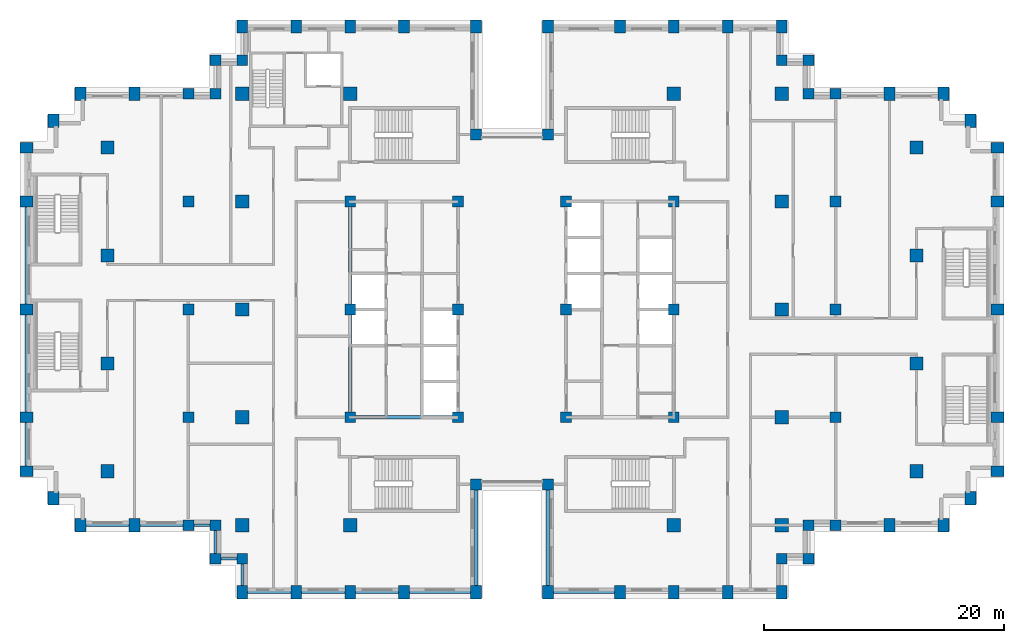
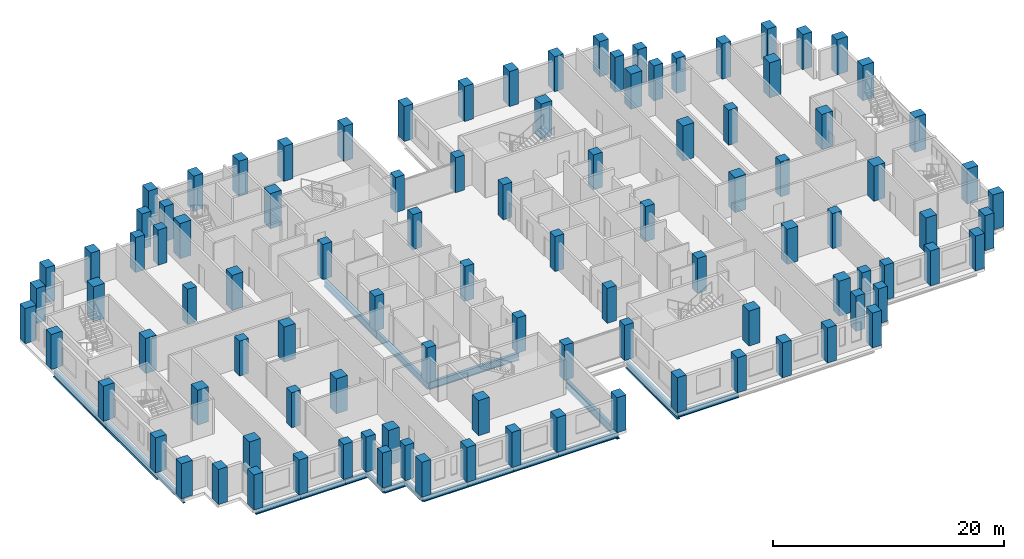
# One storey, part 1 of 16: 102 columns, 19 beams.
"""IFC4 building model written with IfcOpenShell, lengths in metres."""

from ifc_helpers import new_model, si_unit, direction, frame, origin, origin_2d, place, context, subcontext, project, spatial, rectangle, i_section, extrude, material, material_profile, profile_set, type_object, element, save


model = new_model("IFC4")

# Units and contexts
model_context = context("Model", 3, precision=1e-05, world=origin(), true_north=direction((0.0, 1.0)))
body_context = subcontext(model_context, "Body", "Model", "MODEL_VIEW")
ifc_project = project(units=[si_unit("LENGTHUNIT", "METRE"), si_unit("AREAUNIT", "SQUARE_METRE"), si_unit("VOLUMEUNIT", "CUBIC_METRE"), si_unit("PLANEANGLEUNIT", "RADIAN"), si_unit("MASSUNIT", "GRAM", prefix="KILO")], contexts=[model_context])

# Site, building, storey
site_placement = place(None, origin())
site = spatial("IfcSite", under=ifc_project, at=site_placement, CompositionType="ELEMENT")
building_placement = place(site_placement, origin())
building = spatial("IfcBuilding", under=site, at=building_placement, Name="Corbelhall Arena Tower", CompositionType="ELEMENT")
storey_placement = place(building_placement, frame((0.0, 0.0, 154.0)))
storey = spatial("IfcBuildingStorey", under=building, at=storey_placement, Name="L30", CompositionType="ELEMENT", Elevation=154.0)

# Columns
ifc_material_1 = material(Name="Concrete C80/95", Category="concrete")
ifc_material_profile_1 = material_profile(ifc_material_1, rectangle(XDim=1.10009765625, YDim=1.10009765625, at=origin_2d()))
ifc_profile_set_1 = profile_set([ifc_material_profile_1], Name="Concrete C80/95")
column_type_1 = type_object("IfcColumnType", Name="ST-COL-RC 1100x1100", PredefinedType="COLUMN", material=ifc_profile_set_1)
for number, where, z_axis, x_axis, name in (
    (1, (-33.75, 4.5, 0.0), (0.0, 0.0, 1.0), (1.0, 0.0, 0.0), "Column FIC+0450"),
    (2, (-33.75, 13.5, 0.0), (0.0, 0.0, 1.0), (1.0, 0.0, 0.0), "Column FIC+1350"),
    (3, (-33.75, -4.5, 0.0), (0.0, 0.0, 1.0), (1.0, 0.0, 0.0), "Column FIC-0450"),
    (4, (-33.75, -13.5, 0.0), (0.0, 0.0, 1.0), (1.0, 0.0, 0.0), "Column FIC-1350"),
    (5, (33.75, 4.5, 0.0), (0.0, 0.0, 1.0), (1.0, 0.0, 0.0), "Column FID+0450"),
    (6, (33.75, 13.5, 0.0), (0.0, 0.0, 1.0), (1.0, 0.0, 0.0), "Column FID+1350"),
    (7, (33.75, -4.5, 0.0), (0.0, 0.0, 1.0), (1.0, 0.0, 0.0), "Column FID-0450"),
    (8, (33.75, -13.5, 0.0), (0.0, 0.0, 1.0), (1.0, 0.0, 0.0), "Column FID-1350"),
    (9, (13.5, 18.0, 0.0), (0.0, 0.0, 1.0), (1.0, 0.0, 0.0), "Column IE13+1800"),
    (10, (13.5, -18.0, 0.0), (0.0, 0.0, 1.0), (1.0, 0.0, 0.0), "Column IE13-1800"),
    (11, (22.5, 0.0, 0.0), (0.0, 0.0, 1.0), (1.0, 0.0, 0.0), "Column IE22+0000"),
    (12, (22.5, 9.0, 0.0), (0.0, 0.0, 1.0), (1.0, 0.0, 0.0), "Column IE22+0900"),
    (13, (22.5, 18.0, 0.0), (0.0, 0.0, 1.0), (1.0, 0.0, 0.0), "Column IE22+1800"),
    (14, (22.5, -9.0, 0.0), (0.0, 0.0, 1.0), (1.0, 0.0, 0.0), "Column IE22-0900"),
    (15, (22.5, -18.0, 0.0), (0.0, 0.0, 1.0), (1.0, 0.0, 0.0), "Column IE22-1800"),
    (16, (-13.5, 18.0, 0.0), (0.0, 0.0, 1.0), (1.0, 0.0, 0.0), "Column IW13+1800"),
    (17, (-13.5, -18.0, 0.0), (0.0, 0.0, 1.0), (1.0, 0.0, 0.0), "Column IW13-1800"),
    (18, (-22.5, 0.0, 0.0), (0.0, 0.0, 1.0), (1.0, 0.0, 0.0), "Column IW22+0000"),
    (19, (-22.5, 9.0, 0.0), (0.0, 0.0, 1.0), (1.0, 0.0, 0.0), "Column IW22+0900"),
    (20, (-22.5, 18.0, 0.0), (0.0, 0.0, 1.0), (1.0, 0.0, 0.0), "Column IW22+1800"),
    (21, (-22.5, -9.0, 0.0), (0.0, 0.0, 1.0), (1.0, 0.0, 0.0), "Column IW22-0900"),
    (22, (-22.5, -18.0, 0.0), (0.0, 0.0, 1.0), (1.0, 0.0, 0.0), "Column IW22-1800"),
):
    element("IfcColumn", number, at=place(storey_placement, frame(where, z_axis=z_axis, x_axis=x_axis)), inside=storey, type_object=column_type_1, Name=name, PredefinedType="COLUMN", context=body_context, shape_type="SweptSolid", body=[
        extrude(rectangle(XDim=1.10009765625, YDim=1.10009765625, at=origin_2d()), origin(), (0.0, 0.0, 1.0), 3.699951171875),
    ])
ifc_material_profile_2 = material_profile(ifc_material_1, rectangle(XDim=0.89990234375, YDim=1.10009765625, at=origin_2d()))
ifc_profile_set_2 = profile_set([ifc_material_profile_2], Name="Concrete C80/95")
column_type_2 = type_object("IfcColumnType", Name="ST-COL-RC 900x1100", PredefinedType="COLUMN", material=ifc_profile_set_2)
for number, where, z_axis, x_axis, name in (
    (23, (-40.5, 0.0, 0.0), (0.0, 0.0, 1.0), (0.0, 1.0, 0.0), "Column FC+0000"),
    (24, (-40.5, 9.0, 0.0), (0.0, 0.0, 1.0), (0.0, 1.0, 0.0), "Column FC+0900"),
    (25, (-40.5, 13.5, 0.0), (0.0, 0.0, 1.0), (0.0, 1.0, 0.0), "Column FC+1350"),
    (26, (-40.5, -9.0, 0.0), (0.0, 0.0, 1.0), (0.0, 1.0, 0.0), "Column FC-0900"),
    (27, (-40.5, -13.5, 0.0), (0.0, 0.0, 1.0), (0.0, 1.0, 0.0), "Column FC-1350"),
    (28, (-38.25, 15.75, 0.0), (0.0, 0.0, 1.0), (1.0, 0.0, 0.0), "Column FCCN"),
    (29, (-38.25, -15.75, 0.0), (0.0, 0.0, 1.0), (1.0, 0.0, 0.0), "Column FCCS"),
    (30, (-31.5, 18.0, 0.0), (0.0, 0.0, 1.0), (1.0, 0.0, 0.0), "Column FCN3150"),
    (31, (-36.0, 18.0, 0.0), (0.0, 0.0, 1.0), (1.0, 0.0, 0.0), "Column FCN3600"),
    (32, (-31.5, -18.0, 0.0), (0.0, 0.0, 1.0), (1.0, 0.0, 0.0), "Column FCS3150"),
    (33, (-36.0, -18.0, 0.0), (0.0, 0.0, 1.0), (1.0, 0.0, 0.0), "Column FCS3600"),
    (34, (40.5, 0.0, 0.0), (0.0, 0.0, 1.0), (0.0, 1.0, 0.0), "Column FD+0000"),
    (35, (40.5, 9.0, 0.0), (0.0, 0.0, 1.0), (0.0, 1.0, 0.0), "Column FD+0900"),
    (36, (40.5, 13.5, 0.0), (0.0, 0.0, 1.0), (0.0, 1.0, 0.0), "Column FD+1350"),
    (37, (40.5, -9.0, 0.0), (0.0, 0.0, 1.0), (0.0, 1.0, 0.0), "Column FD-0900"),
    (38, (40.5, -13.5, 0.0), (0.0, 0.0, 1.0), (0.0, 1.0, 0.0), "Column FD-1350"),
    (39, (38.25, 15.75, 0.0), (0.0, 0.0, 1.0), (1.0, 0.0, 0.0), "Column FDCN"),
    (40, (38.25, -15.75, 0.0), (0.0, 0.0, 1.0), (1.0, 0.0, 0.0), "Column FDCS"),
    (41, (31.5, 18.0, 0.0), (0.0, 0.0, 1.0), (1.0, 0.0, 0.0), "Column FDN3150"),
    (42, (36.0, 18.0, 0.0), (0.0, 0.0, 1.0), (1.0, 0.0, 0.0), "Column FDN3600"),
    (43, (31.5, -18.0, 0.0), (0.0, 0.0, 1.0), (1.0, 0.0, 0.0), "Column FDS3150"),
    (44, (36.0, -18.0, 0.0), (0.0, 0.0, 1.0), (1.0, 0.0, 0.0), "Column FDS3600"),
    (45, (3.0, 23.60009765625, 0.0), (0.0, 0.0, 1.0), (1.0, 0.0, 0.0), "Column PNE0300"),
    (46, (9.0, 23.60009765625, 0.0), (0.0, 0.0, 1.0), (1.0, 0.0, 0.0), "Column PNE0900"),
    (47, (13.5, 23.60009765625, 0.0), (0.0, 0.0, 1.0), (1.0, 0.0, 0.0), "Column PNE1350"),
    (48, (18.0, 23.60009765625, 0.0), (0.0, 0.0, 1.0), (1.0, 0.0, 0.0), "Column PNE1800"),
    (49, (22.5, 23.60009765625, 0.0), (0.0, 0.0, 1.0), (1.0, 0.0, 0.0), "Column PNE2250"),
    (50, (-3.0, 23.60009765625, 0.0), (0.0, 0.0, 1.0), (1.0, 0.0, 0.0), "Column PNW0300"),
    (51, (-9.0, 23.60009765625, 0.0), (0.0, 0.0, 1.0), (1.0, 0.0, 0.0), "Column PNW0900"),
    (52, (-13.5, 23.60009765625, 0.0), (0.0, 0.0, 1.0), (1.0, 0.0, 0.0), "Column PNW1350"),
    (53, (-18.0, 23.60009765625, 0.0), (0.0, 0.0, 1.0), (1.0, 0.0, 0.0), "Column PNW1800"),
    (54, (-22.5, 23.60009765625, 0.0), (0.0, 0.0, 1.0), (1.0, 0.0, 0.0), "Column PNW2250"),
    (55, (3.0, -23.60009765625, 0.0), (0.0, 0.0, 1.0), (1.0, 0.0, 0.0), "Column PSE0300"),
    (56, (9.0, -23.60009765625, 0.0), (0.0, 0.0, 1.0), (1.0, 0.0, 0.0), "Column PSE0900"),
    (57, (13.5, -23.60009765625, 0.0), (0.0, 0.0, 1.0), (1.0, 0.0, 0.0), "Column PSE1350"),
    (58, (18.0, -23.60009765625, 0.0), (0.0, 0.0, 1.0), (1.0, 0.0, 0.0), "Column PSE1800"),
    (59, (22.5, -23.60009765625, 0.0), (0.0, 0.0, 1.0), (1.0, 0.0, 0.0), "Column PSE2250"),
    (60, (-3.0, -23.60009765625, 0.0), (0.0, 0.0, 1.0), (1.0, 0.0, 0.0), "Column PSW0300"),
    (61, (-9.0, -23.60009765625, 0.0), (0.0, 0.0, 1.0), (1.0, 0.0, 0.0), "Column PSW0900"),
    (62, (-13.5, -23.60009765625, 0.0), (0.0, 0.0, 1.0), (1.0, 0.0, 0.0), "Column PSW1350"),
    (63, (-18.0, -23.60009765625, 0.0), (0.0, 0.0, 1.0), (1.0, 0.0, 0.0), "Column PSW1800"),
    (64, (-22.5, -23.60009765625, 0.0), (0.0, 0.0, 1.0), (1.0, 0.0, 0.0), "Column PSW2250"),
):
    element("IfcColumn", number, at=place(storey_placement, frame(where, z_axis=z_axis, x_axis=x_axis)), inside=storey, type_object=column_type_2, Name=name, PredefinedType="COLUMN", context=body_context, shape_type="SweptSolid", body=[
        extrude(rectangle(XDim=0.89990234375, YDim=1.10009765625, at=origin_2d()), origin(), (0.0, 0.0, 1.0), 3.699951171875),
    ])
ifc_material_profile_3 = material_profile(ifc_material_1, rectangle(XDim=0.89990234375, YDim=0.89990234375, at=origin_2d()))
ifc_profile_set_3 = profile_set([ifc_material_profile_3], Name="Concrete C80/95")
column_type_3 = type_object("IfcColumnType", Name="ST-COL-RC 900x900", PredefinedType="COLUMN", material=ifc_profile_set_3)
for number, where, z_axis, x_axis, name in (
    (65, (4.5, 0.0, 0.0), (0.0, 0.0, 1.0), (1.0, 0.0, 0.0), "Column KE+0450+0000"),
    (66, (4.5, 9.0, 0.0), (0.0, 0.0, 1.0), (1.0, 0.0, 0.0), "Column KE+0450+0900"),
    (67, (4.5, -9.0, 0.0), (0.0, 0.0, 1.0), (1.0, 0.0, 0.0), "Column KE+0450-0900"),
    (68, (13.5, 0.0, 0.0), (0.0, 0.0, 1.0), (1.0, 0.0, 0.0), "Column KE+1350+0000"),
    (69, (13.5, 9.0, 0.0), (0.0, 0.0, 1.0), (1.0, 0.0, 0.0), "Column KE+1350+0900"),
    (70, (13.5, -9.0, 0.0), (0.0, 0.0, 1.0), (1.0, 0.0, 0.0), "Column KE+1350-0900"),
    (71, (-4.5, 0.0, 0.0), (0.0, 0.0, 1.0), (1.0, 0.0, 0.0), "Column KW-0450+0000"),
    (72, (-4.5, 9.0, 0.0), (0.0, 0.0, 1.0), (1.0, 0.0, 0.0), "Column KW-0450+0900"),
    (73, (-4.5, -9.0, 0.0), (0.0, 0.0, 1.0), (1.0, 0.0, 0.0), "Column KW-0450-0900"),
    (74, (-13.5, 0.0, 0.0), (0.0, 0.0, 1.0), (1.0, 0.0, 0.0), "Column KW-1350+0000"),
    (75, (-13.5, 9.0, 0.0), (0.0, 0.0, 1.0), (1.0, 0.0, 0.0), "Column KW-1350+0900"),
    (76, (-13.5, -9.0, 0.0), (0.0, 0.0, 1.0), (1.0, 0.0, 0.0), "Column KW-1350-0900"),
    (77, (27.0, 0.0, 0.0), (0.0, 0.0, 1.0), (1.0, 0.0, 0.0), "Column PE+0000"),
    (78, (27.0, 9.0, 0.0), (0.0, 0.0, 1.0), (1.0, 0.0, 0.0), "Column PE+0900"),
    (79, (27.0, 18.0, 0.0), (0.0, 0.0, 1.0), (1.0, 0.0, 0.0), "Column PE+1800"),
    (80, (27.0, -9.0, 0.0), (0.0, 0.0, 1.0), (1.0, 0.0, 0.0), "Column PE-0900"),
    (81, (27.0, -18.0, 0.0), (0.0, 0.0, 1.0), (1.0, 0.0, 0.0), "Column PE-1800"),
    (82, (-27.0, 0.0, 0.0), (0.0, 0.0, 1.0), (1.0, 0.0, 0.0), "Column PW+0000"),
    (83, (-27.0, 9.0, 0.0), (0.0, 0.0, 1.0), (1.0, 0.0, 0.0), "Column PW+0900"),
    (84, (-27.0, 18.0, 0.0), (0.0, 0.0, 1.0), (1.0, 0.0, 0.0), "Column PW+1800"),
    (85, (-27.0, -9.0, 0.0), (0.0, 0.0, 1.0), (1.0, 0.0, 0.0), "Column PW-0900"),
    (86, (-27.0, -18.0, 0.0), (0.0, 0.0, 1.0), (1.0, 0.0, 0.0), "Column PW-1800"),
    (87, (3.0, 14.60009765625, 0.0), (0.0, 0.0, 1.0), (1.0, 0.0, 0.0), "Column SLNE2"),
    (88, (-3.0, 14.60009765625, 0.0), (0.0, 0.0, 1.0), (1.0, 0.0, 0.0), "Column SLNW2"),
    (89, (3.0, -14.60009765625, 0.0), (0.0, 0.0, 1.0), (1.0, 0.0, 0.0), "Column SLSE2"),
    (90, (-3.0, -14.60009765625, 0.0), (0.0, 0.0, 1.0), (1.0, 0.0, 0.0), "Column SLSW2"),
    (91, (22.5, 20.800048828125, 0.0), (0.0, 0.0, 1.0), (1.0, 0.0, 0.0), "Column XNE1"),
    (92, (24.75, 20.800048828125, 0.0), (0.0, 0.0, 1.0), (1.0, 0.0, 0.0), "Column XNE2"),
    (93, (24.75, 18.0, 0.0), (0.0, 0.0, 1.0), (1.0, 0.0, 0.0), "Column XNE3"),
    (94, (-22.5, 20.800048828125, 0.0), (0.0, 0.0, 1.0), (1.0, 0.0, 0.0), "Column XNW1"),
    (95, (-24.75, 20.800048828125, 0.0), (0.0, 0.0, 1.0), (1.0, 0.0, 0.0), "Column XNW2"),
    (96, (-24.75, 18.0, 0.0), (0.0, 0.0, 1.0), (1.0, 0.0, 0.0), "Column XNW3"),
    (97, (22.5, -20.800048828125, 0.0), (0.0, 0.0, 1.0), (1.0, 0.0, 0.0), "Column XSE1"),
    (98, (24.75, -20.800048828125, 0.0), (0.0, 0.0, 1.0), (1.0, 0.0, 0.0), "Column XSE2"),
    (99, (24.75, -18.0, 0.0), (0.0, 0.0, 1.0), (1.0, 0.0, 0.0), "Column XSE3"),
    (100, (-22.5, -20.800048828125, 0.0), (0.0, 0.0, 1.0), (1.0, 0.0, 0.0), "Column XSW1"),
    (101, (-24.75, -20.800048828125, 0.0), (0.0, 0.0, 1.0), (1.0, 0.0, 0.0), "Column XSW2"),
    (102, (-24.75, -18.0, 0.0), (0.0, 0.0, 1.0), (1.0, 0.0, 0.0), "Column XSW3"),
):
    element("IfcColumn", number, at=place(storey_placement, frame(where, z_axis=z_axis, x_axis=x_axis)), inside=storey, type_object=column_type_3, Name=name, PredefinedType="COLUMN", context=body_context, shape_type="SweptSolid", body=[
        extrude(rectangle(XDim=0.89990234375, YDim=0.89990234375, at=origin_2d()), origin(), (0.0, 0.0, 1.0), 3.699951171875),
    ])

# Beams
ifc_material_2 = material(Name="Steel ASTM A992 Gr50", Category="steel")
ifc_material_profile_4 = material_profile(ifc_material_2, i_section(OverallWidth=0.2666015625, OverallDepth=0.761962890625, WebThickness=0.014404296875, FlangeThickness=0.021484375, at=origin_2d()))
ifc_profile_set_4 = profile_set([ifc_material_profile_4], Name="Steel ASTM A992 Gr50")
beam_type_1 = type_object("IfcBeamType", Name="ST-BEAM-W30x116", PredefinedType="BEAM", material=ifc_profile_set_4)
for number, where, z_axis, x_axis, name in (
    (103, (-13.5, -9.0, -0.680908203125), (0.0, 1.0, 0.0), (-1.0, 0.0, 0.0), "Beam CEW 1"),
    (104, (-13.5, 0.0, -0.680908203125), (0.0, 1.0, 0.0), (-1.0, 0.0, 0.0), "Beam CEW 2"),
    (105, (-13.5, -9.0, -0.680908203125), (1.0, 0.0, 0.0), (0.0, 1.0, 0.0), "Beam CEW 5"),
):
    element("IfcBeam", number, at=place(storey_placement, frame(where, z_axis=z_axis, x_axis=x_axis)), inside=storey, type_object=beam_type_1, Name=name, PredefinedType="BEAM", context=body_context, shape_type="SweptSolid", body=[
        extrude(i_section(OverallWidth=0.2666015625, OverallDepth=0.761962890625, WebThickness=0.014404296875, FlangeThickness=0.021484375, at=origin_2d()), origin(), (0.0, 0.0, 1.0), 9.0),
    ])
ifc_material_profile_5 = material_profile(ifc_material_2, i_section(OverallWidth=0.22900390625, OverallDepth=0.612060546875, WebThickness=0.011962890625, FlangeThickness=0.01953125, at=origin_2d()))
ifc_profile_set_5 = profile_set([ifc_material_profile_5], Name="Steel ASTM A992 Gr50")
beam_type_2 = type_object("IfcBeamType", Name="ST-SPANDREL-W24x84", PredefinedType="SPANDREL", material=ifc_profile_set_5)
for number, where, z_axis, x_axis, name in (
    (106, (-40.5, -13.5, -0.60595703125), (0.0, 1.0, 0.0), (-1.0, 0.0, 0.0), "Beam SP 4"),
    (107, (-31.5, -18.0, -0.60595703125), (-1.0, 0.0, 0.0), (0.0, -1.0, 0.0), "Beam SP 7"),
):
    element("IfcBeam", number, at=place(storey_placement, frame(where, z_axis=z_axis, x_axis=x_axis)), inside=storey, type_object=beam_type_2, Name=name, PredefinedType="SPANDREL", context=body_context, shape_type="SweptSolid", body=[
        extrude(i_section(OverallWidth=0.22900390625, OverallDepth=0.612060546875, WebThickness=0.011962890625, FlangeThickness=0.01953125, at=origin_2d()), origin(), (0.0, 0.0, 1.0), 4.5),
    ])
for number, where, z_axis, x_axis, name in (
    (108, (9.0, -23.60009765625, -0.60595703125), (-1.0, 0.0, 0.0), (0.0, -1.0, 0.0), "Beam SP 28"),
    (109, (-3.0, -23.60009765625, -0.60595703125), (-1.0, 0.0, 0.0), (0.0, -1.0, 0.0), "Beam SP 32"),
):
    element("IfcBeam", number, at=place(storey_placement, frame(where, z_axis=z_axis, x_axis=x_axis)), inside=storey, type_object=beam_type_2, Name=name, PredefinedType="SPANDREL", context=body_context, shape_type="SweptSolid", body=[
        extrude(i_section(OverallWidth=0.22900390625, OverallDepth=0.612060546875, WebThickness=0.011962890625, FlangeThickness=0.01953125, at=origin_2d()), origin(), (0.0, 0.0, 1.0), 6.0),
    ])
for number, where, z_axis, x_axis, name in (
    (110, (-9.0, -23.60009765625, -0.60595703125), (-1.0, 0.0, 0.0), (0.0, -1.0, 0.0), "Beam SP 33"),
    (111, (-13.5, -23.60009765625, -0.60595703125), (-1.0, 0.0, 0.0), (0.0, -1.0, 0.0), "Beam SP 34"),
    (112, (-18.0, -23.60009765625, -0.60595703125), (-1.0, 0.0, 0.0), (0.0, -1.0, 0.0), "Beam SP 35"),
):
    element("IfcBeam", number, at=place(storey_placement, frame(where, z_axis=z_axis, x_axis=x_axis)), inside=storey, type_object=beam_type_2, Name=name, PredefinedType="SPANDREL", context=body_context, shape_type="SweptSolid", body=[
        extrude(i_section(OverallWidth=0.22900390625, OverallDepth=0.612060546875, WebThickness=0.011962890625, FlangeThickness=0.01953125, at=origin_2d()), origin(), (0.0, 0.0, 1.0), 4.5),
    ])
beam_1_placement = place(storey_placement, frame((-22.5, -23.60009765625, -0.60595703125), z_axis=(0.0, 1.0, 0.0), x_axis=(-1.0, 0.0, 0.0)))
element("IfcBeam", 113, at=beam_1_placement, inside=storey, type_object=beam_type_2, Name="Beam SP 36", PredefinedType="SPANDREL", context=body_context, shape_type="SweptSolid", body=[
    extrude(i_section(OverallWidth=0.22900390625, OverallDepth=0.612060546875, WebThickness=0.011962890625, FlangeThickness=0.01953125, at=origin_2d()), origin(), (0.0, 0.0, 1.0), 2.800048828125),
])
beam_2_placement = place(storey_placement, frame((-27.0, -18.0, -0.60595703125), z_axis=(-1.0, 0.0, 0.0), x_axis=(0.0, -1.0, 0.0)))
element("IfcBeam", 114, at=beam_2_placement, inside=storey, type_object=beam_type_2, Name="Beam SP 38", PredefinedType="SPANDREL", context=body_context, shape_type="SweptSolid", body=[
    extrude(i_section(OverallWidth=0.22900390625, OverallDepth=0.612060546875, WebThickness=0.011962890625, FlangeThickness=0.01953125, at=origin_2d()), origin(), (0.0, 0.0, 1.0), 4.5),
])
beam_3_placement = place(storey_placement, frame((-22.5, -20.800048828125, -0.60595703125), z_axis=(-1.0, 0.0, 0.0), x_axis=(0.0, -1.0, 0.0)))
element("IfcBeam", 115, at=beam_3_placement, inside=storey, type_object=beam_type_2, Name="Beam SP 52", PredefinedType="SPANDREL", context=body_context, shape_type="SweptSolid", body=[
    extrude(i_section(OverallWidth=0.22900390625, OverallDepth=0.612060546875, WebThickness=0.011962890625, FlangeThickness=0.01953125, at=origin_2d()), origin(), (0.0, 0.0, 1.0), 2.25),
])
beam_4_placement = place(storey_placement, frame((-24.75, -20.800048828125, -0.60595703125), z_axis=(0.0, 1.0, 0.0), x_axis=(-1.0, 0.0, 0.0)))
element("IfcBeam", 116, at=beam_4_placement, inside=storey, type_object=beam_type_2, Name="Beam SP 53", PredefinedType="SPANDREL", context=body_context, shape_type="SweptSolid", body=[
    extrude(i_section(OverallWidth=0.22900390625, OverallDepth=0.612060546875, WebThickness=0.011962890625, FlangeThickness=0.01953125, at=origin_2d()), origin(), (0.0, 0.0, 1.0), 2.800048828125),
])
beam_5_placement = place(storey_placement, frame((-24.75, -18.0, -0.60595703125), z_axis=(-1.0, 0.0, 0.0), x_axis=(0.0, -1.0, 0.0)))
element("IfcBeam", 117, at=beam_5_placement, inside=storey, type_object=beam_type_2, Name="Beam SP 54", PredefinedType="SPANDREL", context=body_context, shape_type="SweptSolid", body=[
    extrude(i_section(OverallWidth=0.22900390625, OverallDepth=0.612060546875, WebThickness=0.011962890625, FlangeThickness=0.01953125, at=origin_2d()), origin(), (0.0, 0.0, 1.0), 2.25),
])
ifc_material_profile_6 = material_profile(ifc_material_2, i_section(OverallWidth=0.2919921875, OverallDepth=0.845703125, WebThickness=0.015380859375, FlangeThickness=0.0244140625, at=origin_2d()))
ifc_profile_set_6 = profile_set([ifc_material_profile_6], Name="Steel ASTM A992 Gr50")
beam_type_3 = type_object("IfcBeamType", Name="ST-SPANDREL-W33x141", PredefinedType="SPANDREL", material=ifc_profile_set_6)
for number, where, z_axis, x_axis, name in (
    (118, (-40.5, 0.0, -0.722900390625), (0.0, 1.0, 0.0), (-1.0, 0.0, 0.0), "Beam SP 1"),
    (119, (-40.5, -9.0, -0.722900390625), (0.0, 1.0, 0.0), (-1.0, 0.0, 0.0), "Beam SP 3"),
    (120, (3.0, -23.60009765625, -0.722900390625), (0.0, 1.0, 0.0), (-1.0, 0.0, 0.0), "Beam SP 27"),
    (121, (-3.0, -14.60009765625, -0.722900390625), (0.0, -1.0, 0.0), (1.0, 0.0, 0.0), "Beam SP 42"),
):
    element("IfcBeam", number, at=place(storey_placement, frame(where, z_axis=z_axis, x_axis=x_axis)), inside=storey, type_object=beam_type_3, Name=name, PredefinedType="SPANDREL", context=body_context, shape_type="SweptSolid", body=[
        extrude(i_section(OverallWidth=0.2919921875, OverallDepth=0.845703125, WebThickness=0.015380859375, FlangeThickness=0.0244140625, at=origin_2d()), origin(), (0.0, 0.0, 1.0), 9.0),
    ])

save(model, "model.ifc")
